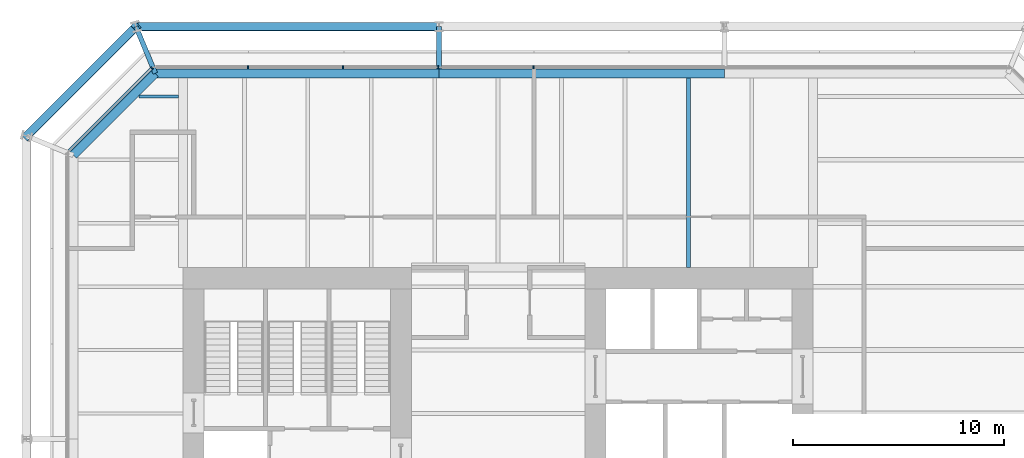
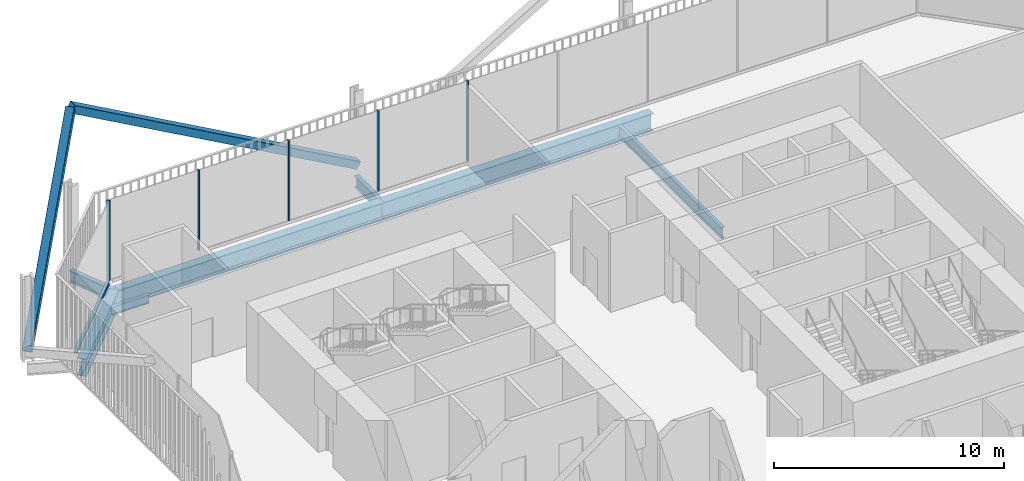
# One storey, part 12 of 21: 8 members, 7 beams, 2 elements without a shape of their own.
"""IFC4 building model written with IfcOpenShell, lengths in metres."""

from ifc_helpers import new_model, si_unit, direction, frame, origin, origin_2d, place, context, subcontext, project, spatial, rectangle, hollow_rectangle, i_section, extrude, material, layer, layer_set, material_profile, profile_set, type_object, element, aggregate, save


model = new_model("IFC4")

# Units and contexts
model_context = context("Model", 3, precision=1e-05, world=origin(), true_north=direction((0.0, 1.0)))
body_context = subcontext(model_context, "Body", "Model", "MODEL_VIEW")
ifc_project = project(units=[si_unit("LENGTHUNIT", "METRE"), si_unit("AREAUNIT", "SQUARE_METRE"), si_unit("VOLUMEUNIT", "CUBIC_METRE"), si_unit("PLANEANGLEUNIT", "RADIAN"), si_unit("MASSUNIT", "GRAM", prefix="KILO")], contexts=[model_context])

# Site, building, storey
site_placement = place(None, origin())
site = spatial("IfcSite", under=ifc_project, at=site_placement, CompositionType="ELEMENT")
building_placement = place(site_placement, origin())
building = spatial("IfcBuilding", under=site, at=building_placement, Name="Millrace Tower", CompositionType="ELEMENT")
storey_placement = place(building_placement, frame((0.0, 0.0, 104.0)))
storey = spatial("IfcBuildingStorey", under=building, at=storey_placement, Name="L23", CompositionType="ELEMENT", Elevation=104.0)

# Curtain wall, members
ifc_material_1 = material(Name="Aluminium and glass", Category="aluminium")
ifc_layer = layer(ifc_material_1, 0.14990234375)
ifc_layer_set = layer_set([ifc_layer], Name="Aluminium and glass")
curtain_wall_type = type_object("IfcCurtainWallType", Name="CW-3 telecom floor curtain wall", PredefinedType="NOTDEFINED", material=ifc_layer_set)
placement = place(storey_placement, origin())
curtain_wall_1 = element("IfcCurtainWall", 1, at=placement, inside=storey, type_object=curtain_wall_type, Name="Curtain wall B-F06 L23", PredefinedType="NOTDEFINED")
ifc_material_2 = material(Name="Aluminium", Category="aluminium")
ifc_material_profile_1 = material_profile(ifc_material_2, rectangle(XDim=0.06494140625, YDim=0.14990234375, at=origin_2d()))
ifc_profile_set_1 = profile_set([ifc_material_profile_1], Name="Aluminium")
member_type_1 = type_object("IfcMemberType", Name="CW-3 telecom floor curtain wall mullion", PredefinedType="MULLION", material=ifc_profile_set_1)
member_1_placement = place(storey_placement, frame((1.66748046875, 19.375, 0.14990234375), z_axis=(0.0, 0.0, 1.0), x_axis=(-1.0, 0.0, 0.0)))
member_1 = element("IfcMember", 2, at=member_1_placement, type_object=member_type_1, Name="CW3 mullion B-F06.6", PredefinedType="MULLION", context=body_context, shape_type="SweptSolid", body=[
    extrude(rectangle(XDim=0.06494140625, YDim=0.14990234375, at=origin_2d()), origin(), (0.0, 0.0, 1.0), 4.25),
])
member_2_placement = place(storey_placement, frame((-2.83251953125, 19.375, 0.14990234375), z_axis=(0.0, 0.0, 1.0), x_axis=(-1.0, 0.0, 0.0)))
member_2 = element("IfcMember", 3, at=member_2_placement, type_object=member_type_1, Name="CW3 mullion B-F06.7", PredefinedType="MULLION", context=body_context, shape_type="SweptSolid", body=[
    extrude(rectangle(XDim=0.06494140625, YDim=0.14990234375, at=origin_2d()), origin(), (0.0, 0.0, 1.0), 4.25),
])
member_3_placement = place(storey_placement, frame((-7.33251953125, 19.375, 0.14990234375), z_axis=(0.0, 0.0, 1.0), x_axis=(-1.0, 0.0, 0.0)))
member_3 = element("IfcMember", 4, at=member_3_placement, type_object=member_type_1, Name="CW3 mullion B-F06.8", PredefinedType="MULLION", context=body_context, shape_type="SweptSolid", body=[
    extrude(rectangle(XDim=0.06494140625, YDim=0.14990234375, at=origin_2d()), origin(), (0.0, 0.0, 1.0), 4.25),
])
member_4_placement = place(storey_placement, frame((-11.83251953125, 19.375, 0.14990234375), z_axis=(0.0, 0.0, 1.0), x_axis=(-1.0, 0.0, 0.0)))
member_4 = element("IfcMember", 5, at=member_4_placement, type_object=member_type_1, Name="CW3 mullion B-F06.9", PredefinedType="MULLION", context=body_context, shape_type="SweptSolid", body=[
    extrude(rectangle(XDim=0.06494140625, YDim=0.14990234375, at=origin_2d()), origin(), (0.0, 0.0, 1.0), 4.25),
])
aggregate(curtain_wall_1, [member_1, member_2, member_3, member_4])

curtain_wall_2 = element("IfcCurtainWall", 6, at=placement, inside=storey, type_object=curtain_wall_type, Name="Curtain wall B-F07 L23", PredefinedType="NOTDEFINED")
member_5_placement = place(storey_placement, frame((-16.3759765625, 19.330078125, 0.14990234375), z_axis=(0.0, 0.0, 1.0), x_axis=(-0.707106781187, -0.707106781187, 0.0)))
member_5 = element("IfcMember", 7, at=member_5_placement, type_object=member_type_1, Name="CW3 mullion B-F07.1", PredefinedType="MULLION", context=body_context, shape_type="SweptSolid", body=[
    extrude(rectangle(XDim=0.06494140625, YDim=0.14990234375, at=origin_2d()), origin(), (0.0, 0.0, 1.0), 4.25),
])
ifc_material_3 = material(Name="Aluminium", Category="aluminium")
ifc_material_profile_2 = material_profile(ifc_material_3, rectangle(XDim=0.14990234375, YDim=0.14990234375, at=origin_2d()))
ifc_profile_set_2 = profile_set([ifc_material_profile_2], Name="Aluminium")
member_type_2 = type_object("IfcMemberType", Name="CW-3 telecom floor curtain wall transom", PredefinedType="USERDEFINED", material=ifc_profile_set_2)
member_6_placement = place(storey_placement, frame((-16.423828125, 19.2822265625, 0.074951171875), z_axis=(-0.707106781187, -0.707106781187, 0.0), x_axis=(0.707106781187, -0.707106781187, 0.0)))
member_6 = element("IfcMember", 8, at=member_6_placement, type_object=member_type_2, Name="CW3 transom B-F07.1", ObjectType="TRANSOM", PredefinedType="USERDEFINED", context=body_context, shape_type="SweptSolid", body=[
    extrude(rectangle(XDim=0.14990234375, YDim=0.14990234375, at=origin_2d()), origin(), (0.0, 0.0, 1.0), 5.45654296875),
])
aggregate(curtain_wall_2, [member_5, member_6])

# Members
ifc_material_4 = material(Name="Steel ASTM A500 Grade C", Category="steel")
ifc_material_profile_3 = material_profile(ifc_material_4, hollow_rectangle(XDim=0.406494140625, YDim=0.406494140625, WallThickness=0.0126953125, InnerFilletRadius=0.00634765625, OuterFilletRadius=0.01904296875, at=origin_2d()))
ifc_profile_set_3 = profile_set([ifc_material_profile_3], Name="Steel ASTM A500 Grade C")
member_type_3 = type_object("IfcMemberType", Name="Exoskeleton brace HSS16x16x1/2", PredefinedType="BRACE", material=ifc_profile_set_3)
member_7_placement = place(storey_placement, frame((-2.800048828125, 21.300048828125, 0.39990234375), z_axis=(-0.873125840427, 0.0, 0.487494888976), x_axis=(0.0, -1.0, 0.0)))
element("IfcMember", 9, at=member_7_placement, inside=storey, type_object=member_type_3, Name="BRC-B-L23-12", PredefinedType="BRACE", context=body_context, shape_type="SweptSolid", body=[
    extrude(hollow_rectangle(XDim=0.406494140625, YDim=0.406494140625, WallThickness=0.0126953125, InnerFilletRadius=0.00634765625, OuterFilletRadius=0.01904296875, at=origin_2d()), origin(), (0.0, 0.0, 1.0), 16.410400390625),
])
member_8_placement = place(storey_placement, frame((-22.300048828125, 16.12841796875, 0.39990234375), z_axis=(0.477116280189, 0.477116280189, 0.738051563482), x_axis=(-0.707106781187, 0.707106781187, 0.0)))
element("IfcMember", 10, at=member_8_placement, inside=storey, type_object=member_type_3, Name="BRC-B-L23-13", PredefinedType="BRACE", context=body_context, shape_type="SweptSolid", body=[
    extrude(hollow_rectangle(XDim=0.406494140625, YDim=0.406494140625, WallThickness=0.0126953125, InnerFilletRadius=0.00634765625, OuterFilletRadius=0.01904296875, at=origin_2d()), origin(), (0.0, 0.0, 1.0), 10.83935546875),
])

# Beams
ifc_material_5 = material(Name="Steel ASTM A992 Grade 50", Category="steel")
ifc_material_profile_4 = material_profile(ifc_material_5, i_section(OverallWidth=0.15234375, OverallDepth=0.449462890625, WebThickness=0.007568359375, FlangeThickness=0.0107421875, FilletRadius=0.01025390625, at=origin_2d()))
ifc_profile_set_4 = profile_set([ifc_material_profile_4], Name="Steel ASTM A992 Grade 50")
beam_type_1 = type_object("IfcBeamType", Name="Floor beam W18x35", PredefinedType="JOIST", material=ifc_profile_set_4)
beam_1_placement = place(storey_placement, frame((-16.995361328125, 18.0, -0.4248046875), z_axis=(1.0, 0.0, 0.0), x_axis=(0.0, 1.0, 0.0)))
element("IfcBeam", 11, at=beam_1_placement, inside=storey, type_object=beam_type_1, Name="BM-B-L23-S1-S038", PredefinedType="JOIST", context=body_context, shape_type="SweptSolid", body=[
    extrude(i_section(OverallWidth=0.15234375, OverallDepth=0.449462890625, WebThickness=0.007568359375, FlangeThickness=0.0107421875, FilletRadius=0.01025390625, at=origin_2d()), origin(), (0.0, 0.0, 1.0), 1.884521484375),
])
ifc_material_6 = material(Name="Steel ASTM A992 Grade 50", Category="steel")
ifc_material_profile_5 = material_profile(ifc_material_6, i_section(OverallWidth=0.177978515625, OverallDepth=0.599365234375, WebThickness=0.010009765625, FlangeThickness=0.012939453125, FilletRadius=0.012939453125, at=origin_2d()))
ifc_profile_set_5 = profile_set([ifc_material_profile_5], Name="Steel ASTM A992 Grade 50")
beam_type_2 = type_object("IfcBeamType", Name="Floor beam W24x55", PredefinedType="JOIST", material=ifc_profile_set_5)
beam_2_placement = place(storey_placement, frame((9.0, 9.89990234375, -0.499755859375), z_axis=(0.0, 1.0, 0.0), x_axis=(-1.0, 0.0, 0.0)))
element("IfcBeam", 12, at=beam_2_placement, inside=storey, type_object=beam_type_2, Name="BM-B-L23-S1-S054", PredefinedType="JOIST", context=body_context, shape_type="SweptSolid", body=[
    extrude(i_section(OverallWidth=0.177978515625, OverallDepth=0.599365234375, WebThickness=0.010009765625, FlangeThickness=0.012939453125, FilletRadius=0.012939453125, at=origin_2d()), origin(), (0.0, 0.0, 1.0), 8.98095703125),
])
ifc_material_7 = material(Name="Steel ASTM A992 Grade 50", Category="steel")
ifc_material_profile_6 = material_profile(ifc_material_7, i_section(OverallWidth=0.23046875, OverallDepth=0.6171875, WebThickness=0.01318359375, FlangeThickness=0.022216796875, FilletRadius=0.012939453125, at=origin_2d()))
ifc_profile_set_6 = profile_set([ifc_material_profile_6], Name="Steel ASTM A992 Grade 50")
beam_type_3 = type_object("IfcBeamType", Name="Link beam W24x94", PredefinedType="BEAM", material=ifc_profile_set_6)
beam_3_placement = place(storey_placement, frame((-16.213134765625, 19.09033203125, -0.508544921875), z_axis=(-0.382679341507, 0.923881226989, 0.0), x_axis=(-0.923881226989, -0.382679341507, 0.0)))
element("IfcBeam", 13, at=beam_3_placement, inside=storey, type_object=beam_type_3, Name="LNK-B-L23-S1-05", PredefinedType="BEAM", context=body_context, shape_type="SweptSolid", body=[
    extrude(i_section(OverallWidth=0.23046875, OverallDepth=0.6171875, WebThickness=0.01318359375, FlangeThickness=0.022216796875, FilletRadius=0.012939453125, at=origin_2d()), origin(), (0.0, 0.0, 1.0), 2.391845703125),
])
beam_4_placement = place(storey_placement, frame((-2.800048828125, 19.300048828125, -0.508544921875), z_axis=(0.0, 1.0, 0.0), x_axis=(-1.0, 0.0, 0.0)))
element("IfcBeam", 14, at=beam_4_placement, inside=storey, type_object=beam_type_3, Name="LNK-B-L23-S1-06", PredefinedType="BEAM", context=body_context, shape_type="SweptSolid", body=[
    extrude(i_section(OverallWidth=0.23046875, OverallDepth=0.6171875, WebThickness=0.01318359375, FlangeThickness=0.022216796875, FilletRadius=0.012939453125, at=origin_2d()), origin(), (0.0, 0.0, 1.0), 2.0),
])
ifc_material_8 = material(Name="Steel ASTM A992 Grade 50", Category="steel")
ifc_material_profile_7 = material_profile(ifc_material_8, i_section(OverallWidth=0.419189453125, OverallDepth=0.927001953125, WebThickness=0.019287109375, FlangeThickness=0.031982421875, FilletRadius=0.024169921875, at=origin_2d()))
ifc_profile_set_7 = profile_set([ifc_material_profile_7], Name="Steel ASTM A992 Grade 50")
beam_type_4 = type_object("IfcBeamType", Name="Ring beam medium span W36x231", PredefinedType="SPANDREL", material=ifc_profile_set_7)
beam_5_placement = place(storey_placement, frame((-16.213134765625, 19.09033203125, -0.66357421875), z_axis=(1.0, 0.0, 0.0), x_axis=(0.0, 1.0, 0.0)))
element("IfcBeam", 15, at=beam_5_placement, inside=storey, type_object=beam_type_4, Name="RNG-B-L23-S1-05", PredefinedType="SPANDREL", context=body_context, shape_type="SweptSolid", body=[
    extrude(i_section(OverallWidth=0.419189453125, OverallDepth=0.927001953125, WebThickness=0.019287109375, FlangeThickness=0.031982421875, FilletRadius=0.024169921875, at=origin_2d()), origin(), (0.0, 0.0, 1.0), 13.4130859375),
])
beam_6_placement = place(storey_placement, frame((-2.800048828125, 19.09033203125, -0.66357421875), z_axis=(1.0, 0.0, 0.0), x_axis=(0.0, 1.0, 0.0)))
element("IfcBeam", 16, at=beam_6_placement, inside=storey, type_object=beam_type_4, Name="RNG-B-L23-S1-06", PredefinedType="SPANDREL", context=body_context, shape_type="SweptSolid", body=[
    extrude(i_section(OverallWidth=0.419189453125, OverallDepth=0.927001953125, WebThickness=0.019287109375, FlangeThickness=0.031982421875, FilletRadius=0.024169921875, at=origin_2d()), origin(), (0.0, 0.0, 1.0), 13.5),
])
ifc_material_9 = material(Name="Steel ASTM A992 Grade 50", Category="steel")
ifc_material_profile_8 = material_profile(ifc_material_9, i_section(OverallWidth=0.419189453125, OverallDepth=0.927001953125, WebThickness=0.019287109375, FlangeThickness=0.031982421875, FilletRadius=0.024169921875, at=origin_2d()))
ifc_profile_set_8 = profile_set([ifc_material_profile_8], Name="Steel ASTM A992 Grade 50")
beam_type_5 = type_object("IfcBeamType", Name="Ring beam short span W36x231", PredefinedType="SPANDREL", material=ifc_profile_set_8)
beam_7_placement = place(storey_placement, frame((-20.09033203125, 15.213134765625, -0.66357421875), z_axis=(0.707106781187, 0.707106781187, 0.0), x_axis=(-0.707106781187, 0.707106781187, 0.0)))
element("IfcBeam", 17, at=beam_7_placement, inside=storey, type_object=beam_type_5, Name="RNG-B-L23-S1-04", PredefinedType="SPANDREL", context=body_context, shape_type="SweptSolid", body=[
    extrude(i_section(OverallWidth=0.419189453125, OverallDepth=0.927001953125, WebThickness=0.019287109375, FlangeThickness=0.031982421875, FilletRadius=0.024169921875, at=origin_2d()), origin(), (0.0, 0.0, 1.0), 5.483154296875),
])

save(model, "model.ifc")
